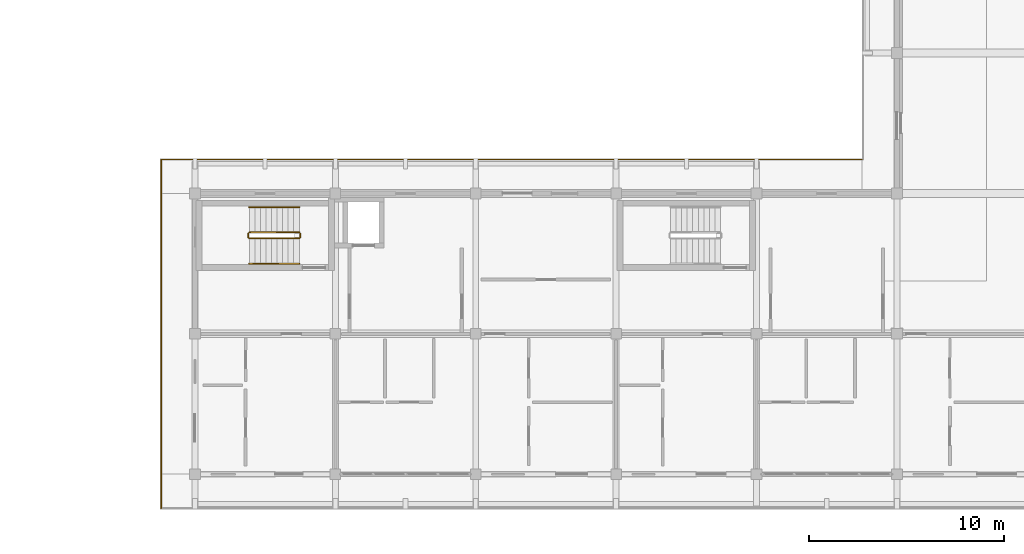
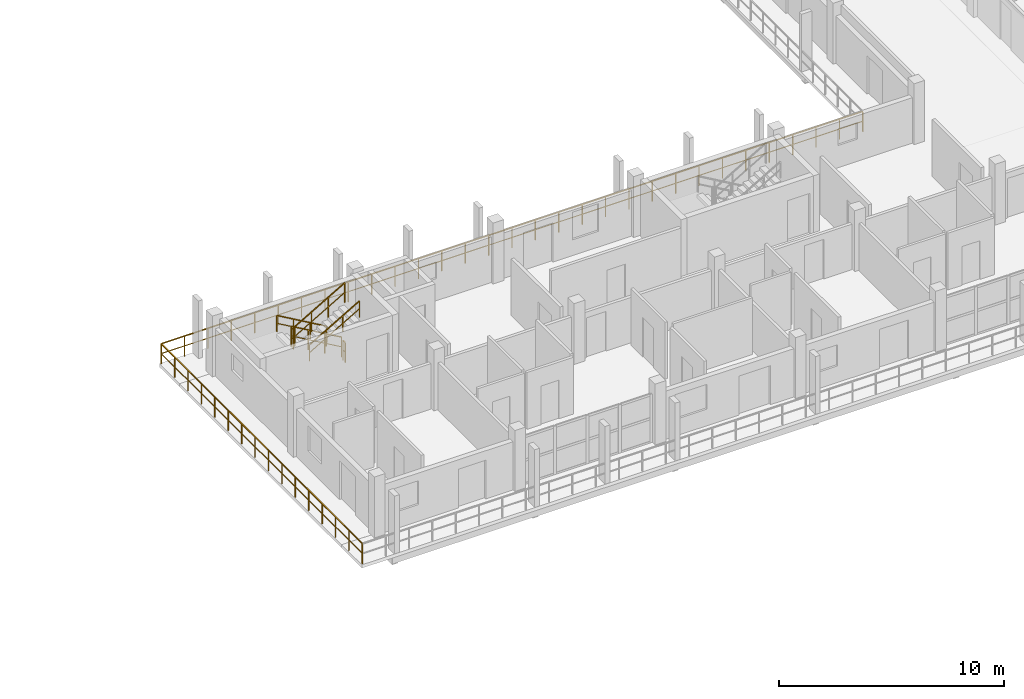
# One storey, part 54 of 60: 8 railings.
"""IFC4 building model written with IfcOpenShell, lengths in metres."""

import ifcopenshell
import ifcopenshell.guid

model = None  # the IFC model being written
_history = None  # IfcOwnerHistory: only IFC2X3 demands one
_inside = {}  # id of a spatial element -> (the spatial element, [elements in it])
_under = {}  # id of a project, library or spatial element -> (it, [spatial elements below it])
_declared = {}  # id of a project -> (the project, [libraries it declares])
_typed = {}  # id of a type object -> (the type object, [elements of that type])
_made_of = {}  # id of a material, layer set ... -> (it, [elements and type objects made of it])


def new_model(schema):
    """Start an empty IFC model of exactly this schema.

    Asked for "IFC4X3", IfcOpenShell would pick the latest addendum, in which some entities
    have other attributes; the version numbers below select the first issue.
    IFC2X3 requires an IfcOwnerHistory on every rooted entity: one is made here for all.
    """
    global model, _history
    if schema == "IFC4X3":
        model = ifcopenshell.file(schema_version=(4, 3, 0, 0))
    else:
        model = ifcopenshell.file(schema=schema)
    _inside.clear()
    _under.clear()
    _declared.clear()
    _typed.clear()
    _made_of.clear()
    _history = None
    if model.schema == "IFC2X3":
        org = make("IfcOrganization", Name="unknown")
        user = make(
            "IfcPersonAndOrganization",
            ThePerson=make("IfcPerson", FamilyName="unknown"),
            TheOrganization=org,
        )
        app = make(
            "IfcApplication",
            ApplicationDeveloper=org,
            Version="unknown",
            ApplicationFullName="unknown",
            ApplicationIdentifier="unknown",
        )
        _history = make(
            "IfcOwnerHistory",
            OwningUser=user,
            OwningApplication=app,
            ChangeAction="ADDED",
            CreationDate=0,
        )
    return model


def make(cls, **values):
    """One entity of the class cls with the attributes given. An attribute that is None is left unset."""
    return model.create_entity(
        cls, **{name: value for name, value in values.items() if value is not None}
    )


def rooted(cls, **values):
    """An entity with a GlobalId (a new one), such as an element, a storey or a relation."""
    return make(cls, GlobalId=ifcopenshell.guid.new(), OwnerHistory=_history, **values)


def si_unit(unit_type, name, prefix=None):
    """IfcSIUnit, for example si_unit("LENGTHUNIT", "METRE", prefix="MILLI")."""
    return make("IfcSIUnit", UnitType=unit_type, Prefix=prefix, Name=name)


def assignment(units):
    """IfcUnitAssignment: the units of a project."""
    return None if units is None else make("IfcUnitAssignment", Units=units)


def point(xyz):
    """IfcCartesianPoint."""
    return None if xyz is None else make("IfcCartesianPoint", Coordinates=xyz)


def direction(xyz):
    """IfcDirection."""
    return None if xyz is None else make("IfcDirection", DirectionRatios=xyz)


def frame(location, z_axis=None, x_axis=None):
    """IfcAxis2Placement3D, a coordinate frame: its origin and axes. An axis left out is left unset."""
    return make(
        "IfcAxis2Placement3D",
        Location=point(location),
        Axis=direction(z_axis),
        RefDirection=direction(x_axis),
    )


def frame_2d(location, x_axis=None):
    """IfcAxis2Placement2D, a coordinate frame in the plane: its origin and x axis."""
    return make(
        "IfcAxis2Placement2D", Location=point(location), RefDirection=direction(x_axis)
    )


def origin():
    """The frame at (0, 0, 0) with its axes left unset."""
    return frame((0.0, 0.0, 0.0))


def origin_2d():
    """The frame at (0, 0) in the plane with its x axis left unset."""
    return frame_2d((0.0, 0.0))


def place(relative_to, where):
    """IfcLocalPlacement: puts the frame where relative to a parent placement (None: the world)."""
    return make(
        "IfcLocalPlacement", PlacementRelTo=relative_to, RelativePlacement=where
    )


def context(
    kind, dimensions, precision=None, world=None, true_north=None, identifier=None
):
    """IfcGeometricRepresentationContext, for example the 3D "Model" context."""
    return make(
        "IfcGeometricRepresentationContext",
        ContextIdentifier=identifier,
        ContextType=kind,
        CoordinateSpaceDimension=dimensions,
        Precision=precision,
        WorldCoordinateSystem=world,
        TrueNorth=true_north,
    )


def subcontext(parent, identifier, kind, view, scale=None):
    """IfcGeometricRepresentationSubContext, for example "Body" below "Model"."""
    return make(
        "IfcGeometricRepresentationSubContext",
        ContextIdentifier=identifier,
        ContextType=kind,
        ParentContext=parent,
        TargetScale=scale,
        TargetView=view,
    )


def project(units=None, contexts=None):
    """IfcProject with its units and contexts."""
    return rooted(
        "IfcProject",
        Name="project",
        RepresentationContexts=contexts,
        UnitsInContext=assignment(units),
    )


def spatial(cls, under=None, at=None, **own):
    """A site, building, storey or space (cls), placed at a placement, below another one or the project."""
    s = rooted(cls, ObjectPlacement=at, **own)
    if under is not None:
        _under.setdefault(under.id(), (under, []))[1].append(s)
    return s


def profile(cls, at=None, kind="AREA", **sizes):
    """A parametric profile (cls). Its sizes go by their IFC names, for example OverallWidth=200.0."""
    return make(cls, ProfileType=kind, Position=at, **sizes)


def rectangle(**sizes):
    """IfcRectangleProfileDef."""
    return profile("IfcRectangleProfileDef", **sizes)


def extrude(swept, where, along, depth):
    """IfcExtrudedAreaSolid: the profile swept, set in the frame where, extruded along a direction by depth."""
    return make(
        "IfcExtrudedAreaSolid",
        SweptArea=swept,
        Position=where,
        ExtrudedDirection=direction(along),
        Depth=depth,
    )


def shape(context_of_items, identifier, shape_type, items):
    """IfcShapeRepresentation: the items that make up one representation, for example the "Body"."""
    return make(
        "IfcShapeRepresentation",
        ContextOfItems=context_of_items,
        RepresentationIdentifier=identifier,
        RepresentationType=shape_type,
        Items=items,
    )


def material(Name=None, Category=None):
    """IfcMaterial."""
    return make("IfcMaterial", Name=Name, Category=Category)


def made_of(thing, what):
    """Note that an element or type object is made of a material, layer set ...; save() writes the relation."""
    if what is not None:
        _made_of.setdefault(what.id(), (what, []))[1].append(thing)
    return thing


def type_object(cls, material=None, **own):
    """A type object (cls), such as IfcWallType, which elements share."""
    return made_of(rooted(cls, **own), material)


def element(
    cls,
    number,
    at=None,
    inside=None,
    cuts=None,
    type_object=None,
    material=None,
    context=None,
    identifier="Body",
    shape_type=None,
    held_by="IfcProductDefinitionShape",
    body=None,
    shapes=None,
    **own,
):
    """One element of the class cls, such as IfcWall. Its Tag is "e" and its number.

    at: its placement. inside: the storey or other place that contains it. cuts: it is an
    opening in that element (IfcRelVoidsElement). A single representation is given by context,
    identifier, shape_type and body (its items); several are given by shapes. held_by: the class
    of the entity that holds the representations. save() writes the other relations.
    """
    e = rooted(cls, Tag="e%d" % number, ObjectPlacement=at, **own)
    if body is not None:
        shapes = [shape(context, identifier, shape_type, body)]
    if shapes is not None:
        e.Representation = make(held_by, Representations=shapes)
    if inside is not None:
        _inside.setdefault(inside.id(), (inside, []))[1].append(e)
    if cuts is not None:
        rooted(
            "IfcRelVoidsElement", RelatingBuildingElement=cuts, RelatedOpeningElement=e
        )
    if type_object is not None:
        _typed.setdefault(type_object.id(), (type_object, []))[1].append(e)
    return made_of(e, material)


def aggregate(whole, parts):
    """IfcRelAggregates: a whole, such as a stair, and the parts it consists of."""
    return rooted("IfcRelAggregates", RelatingObject=whole, RelatedObjects=parts)


def save(model, path):
    """Write the relations noted so far, then the file.

    IfcRelAggregates (storeys below a building ...), IfcRelContainedInSpatialStructure (elements
    in a storey), IfcRelDefinesByType, IfcRelAssociatesMaterial and IfcRelDeclares: one each for
    every whole, place, type object, material and project.
    """
    for whole, parts in _under.values():
        aggregate(whole, parts)
    for where, things in _inside.values():
        rooted(
            "IfcRelContainedInSpatialStructure",
            RelatedElements=things,
            RelatingStructure=where,
        )
    for kind, things in _typed.values():
        rooted("IfcRelDefinesByType", RelatedObjects=things, RelatingType=kind)
    for what, things in _made_of.values():
        rooted("IfcRelAssociatesMaterial", RelatedObjects=things, RelatingMaterial=what)
    for by, libraries in _declared.values():
        rooted("IfcRelDeclares", RelatingContext=by, RelatedDefinitions=libraries)
    model.write(path)


model = new_model("IFC4")

# Units and contexts
model_context = context("Model", 3, precision=1e-05, world=origin(), true_north=direction((0.0, 1.0)))
body_context = subcontext(model_context, "Body", "Model", "MODEL_VIEW")
ifc_project = project(units=[si_unit("LENGTHUNIT", "METRE"), si_unit("AREAUNIT", "SQUARE_METRE"), si_unit("VOLUMEUNIT", "CUBIC_METRE"), si_unit("PLANEANGLEUNIT", "RADIAN"), si_unit("MASSUNIT", "GRAM", prefix="KILO")], contexts=[model_context])

# Site, building, storey
site_placement = place(None, origin())
site = spatial("IfcSite", under=ifc_project, at=site_placement, CompositionType="ELEMENT")
building_placement = place(site_placement, origin())
building = spatial("IfcBuilding", under=site, at=building_placement, Name="Suanplinth Sawtooth Commons", CompositionType="ELEMENT")
storey_placement = place(building_placement, frame((0.0, 0.0, 31.5)))
storey = spatial("IfcBuildingStorey", under=building, at=storey_placement, Name="L09", CompositionType="ELEMENT", Elevation=31.5)

# Railings
ifc_material_1 = material(Name="Powder-coated galvanized steel", Category="steel")
railing_type_1 = type_object("IfcRailingType", Name="GR-01", PredefinedType="BALUSTRADE", material=ifc_material_1)
railing_1_placement = place(storey_placement, frame((135.06005859375, -1.739990234375, 0.0)))
element("IfcRailing", 1, at=railing_1_placement, inside=storey, type_object=railing_type_1, Name="L09 Block C Perimeter Balustrade 1", PredefinedType="BALUSTRADE", context=body_context, shape_type="SweptSolid", body=[
    extrude(rectangle(XDim=0.048095703125, YDim=0.048095703125, at=origin_2d()), frame((0.0, 0.0, 1.09619140625), z_axis=(0.0, 1.0, 0.0), x_axis=(-1.0, 0.0, 0.0)), (0.0, 0.0, 1.0), 17.8798828125),
    extrude(rectangle(XDim=0.03369140625, YDim=0.03369140625, at=origin_2d()), frame((0.0, 0.0, 0.56005859375), z_axis=(0.0, 1.0, 0.0), x_axis=(-1.0, 0.0, 0.0)), (0.0, 0.0, 1.0), 17.8798828125),
    extrude(rectangle(XDim=0.0419921875, YDim=0.0419921875, at=origin_2d()), origin(), (0.0, 0.0, 1.0), 1.072021484375),
    extrude(rectangle(XDim=0.0419921875, YDim=0.0419921875, at=origin_2d()), frame((0.0, 1.19189453125, 0.0)), (0.0, 0.0, 1.0), 1.072021484375),
    extrude(rectangle(XDim=0.0419921875, YDim=0.0419921875, at=origin_2d()), frame((0.0, 2.384033203125, 0.0)), (0.0, 0.0, 1.0), 1.072021484375),
    extrude(rectangle(XDim=0.0419921875, YDim=0.0419921875, at=origin_2d()), frame((0.0, 3.575927734375, 0.0)), (0.0, 0.0, 1.0), 1.072021484375),
    extrude(rectangle(XDim=0.0419921875, YDim=0.0419921875, at=origin_2d()), frame((0.0, 4.76806640625, 0.0)), (0.0, 0.0, 1.0), 1.072021484375),
    extrude(rectangle(XDim=0.0419921875, YDim=0.0419921875, at=origin_2d()), frame((0.0, 5.9599609375, 0.0)), (0.0, 0.0, 1.0), 1.072021484375),
    extrude(rectangle(XDim=0.0419921875, YDim=0.0419921875, at=origin_2d()), frame((0.0, 7.15185546875, 0.0)), (0.0, 0.0, 1.0), 1.072021484375),
    extrude(rectangle(XDim=0.0419921875, YDim=0.0419921875, at=origin_2d()), frame((0.0, 8.343994140625, 0.0)), (0.0, 0.0, 1.0), 1.072021484375),
    extrude(rectangle(XDim=0.0419921875, YDim=0.0419921875, at=origin_2d()), frame((0.0, 9.535888671875, 0.0)), (0.0, 0.0, 1.0), 1.072021484375),
    extrude(rectangle(XDim=0.0419921875, YDim=0.0419921875, at=origin_2d()), frame((0.0, 10.72802734375, 0.0)), (0.0, 0.0, 1.0), 1.072021484375),
    extrude(rectangle(XDim=0.0419921875, YDim=0.0419921875, at=origin_2d()), frame((0.0, 11.919921875, 0.0)), (0.0, 0.0, 1.0), 1.072021484375),
    extrude(rectangle(XDim=0.0419921875, YDim=0.0419921875, at=origin_2d()), frame((0.0, 13.11181640625, 0.0)), (0.0, 0.0, 1.0), 1.072021484375),
    extrude(rectangle(XDim=0.0419921875, YDim=0.0419921875, at=origin_2d()), frame((0.0, 14.303955078125, 0.0)), (0.0, 0.0, 1.0), 1.072021484375),
    extrude(rectangle(XDim=0.0419921875, YDim=0.0419921875, at=origin_2d()), frame((0.0, 15.495849609375, 0.0)), (0.0, 0.0, 1.0), 1.072021484375),
    extrude(rectangle(XDim=0.0419921875, YDim=0.0419921875, at=origin_2d()), frame((0.0, 16.68798828125, 0.0)), (0.0, 0.0, 1.0), 1.072021484375),
    extrude(rectangle(XDim=0.0419921875, YDim=0.0419921875, at=origin_2d()), frame((0.0, 17.8798828125, 0.0)), (0.0, 0.0, 1.0), 1.072021484375),
])
railing_2_placement = place(storey_placement, frame((135.06005859375, 16.139892578125, 0.0)))
element("IfcRailing", 2, at=railing_2_placement, inside=storey, type_object=railing_type_1, Name="L09 Block C Perimeter Balustrade 2", PredefinedType="BALUSTRADE", context=body_context, shape_type="SweptSolid", body=[
    extrude(rectangle(XDim=0.048095703125, YDim=0.048095703125, at=origin_2d()), frame((0.0, 0.0, 1.09619140625), z_axis=(1.0, 0.0, 0.0), x_axis=(0.0, 1.0, 0.0)), (0.0, 0.0, 1.0), 36.0),
    extrude(rectangle(XDim=0.03369140625, YDim=0.03369140625, at=origin_2d()), frame((0.0, 0.0, 0.56005859375), z_axis=(1.0, 0.0, 0.0), x_axis=(0.0, 1.0, 0.0)), (0.0, 0.0, 1.0), 36.0),
    extrude(rectangle(XDim=0.0419921875, YDim=0.0419921875, at=origin_2d()), origin(), (0.0, 0.0, 1.0), 1.072021484375),
    extrude(rectangle(XDim=0.0419921875, YDim=0.0419921875, at=origin_2d()), frame((1.199951171875, 0.0, 0.0)), (0.0, 0.0, 1.0), 1.072021484375),
    extrude(rectangle(XDim=0.0419921875, YDim=0.0419921875, at=origin_2d()), frame((2.39990234375, 0.0, 0.0)), (0.0, 0.0, 1.0), 1.072021484375),
    extrude(rectangle(XDim=0.0419921875, YDim=0.0419921875, at=origin_2d()), frame((3.60009765625, 0.0, 0.0)), (0.0, 0.0, 1.0), 1.072021484375),
    extrude(rectangle(XDim=0.0419921875, YDim=0.0419921875, at=origin_2d()), frame((4.800048828125, 0.0, 0.0)), (0.0, 0.0, 1.0), 1.072021484375),
    extrude(rectangle(XDim=0.0419921875, YDim=0.0419921875, at=origin_2d()), frame((6.0, 0.0, 0.0)), (0.0, 0.0, 1.0), 1.072021484375),
    extrude(rectangle(XDim=0.0419921875, YDim=0.0419921875, at=origin_2d()), frame((7.199951171875, 0.0, 0.0)), (0.0, 0.0, 1.0), 1.072021484375),
    extrude(rectangle(XDim=0.0419921875, YDim=0.0419921875, at=origin_2d()), frame((8.39990234375, 0.0, 0.0)), (0.0, 0.0, 1.0), 1.072021484375),
    extrude(rectangle(XDim=0.0419921875, YDim=0.0419921875, at=origin_2d()), frame((9.60009765625, 0.0, 0.0)), (0.0, 0.0, 1.0), 1.072021484375),
    extrude(rectangle(XDim=0.0419921875, YDim=0.0419921875, at=origin_2d()), frame((10.800048828125, 0.0, 0.0)), (0.0, 0.0, 1.0), 1.072021484375),
    extrude(rectangle(XDim=0.0419921875, YDim=0.0419921875, at=origin_2d()), frame((12.0, 0.0, 0.0)), (0.0, 0.0, 1.0), 1.072021484375),
    extrude(rectangle(XDim=0.0419921875, YDim=0.0419921875, at=origin_2d()), frame((13.199951171875, 0.0, 0.0)), (0.0, 0.0, 1.0), 1.072021484375),
    extrude(rectangle(XDim=0.0419921875, YDim=0.0419921875, at=origin_2d()), frame((14.39990234375, 0.0, 0.0)), (0.0, 0.0, 1.0), 1.072021484375),
    extrude(rectangle(XDim=0.0419921875, YDim=0.0419921875, at=origin_2d()), frame((15.60009765625, 0.0, 0.0)), (0.0, 0.0, 1.0), 1.072021484375),
    extrude(rectangle(XDim=0.0419921875, YDim=0.0419921875, at=origin_2d()), frame((16.800048828125, 0.0, 0.0)), (0.0, 0.0, 1.0), 1.072021484375),
    extrude(rectangle(XDim=0.0419921875, YDim=0.0419921875, at=origin_2d()), frame((18.0, 0.0, 0.0)), (0.0, 0.0, 1.0), 1.072021484375),
    extrude(rectangle(XDim=0.0419921875, YDim=0.0419921875, at=origin_2d()), frame((19.199951171875, 0.0, 0.0)), (0.0, 0.0, 1.0), 1.072021484375),
    extrude(rectangle(XDim=0.0419921875, YDim=0.0419921875, at=origin_2d()), frame((20.39990234375, 0.0, 0.0)), (0.0, 0.0, 1.0), 1.072021484375),
    extrude(rectangle(XDim=0.0419921875, YDim=0.0419921875, at=origin_2d()), frame((21.60009765625, 0.0, 0.0)), (0.0, 0.0, 1.0), 1.072021484375),
    extrude(rectangle(XDim=0.0419921875, YDim=0.0419921875, at=origin_2d()), frame((22.800048828125, 0.0, 0.0)), (0.0, 0.0, 1.0), 1.072021484375),
    extrude(rectangle(XDim=0.0419921875, YDim=0.0419921875, at=origin_2d()), frame((24.0, 0.0, 0.0)), (0.0, 0.0, 1.0), 1.072021484375),
    extrude(rectangle(XDim=0.0419921875, YDim=0.0419921875, at=origin_2d()), frame((25.199951171875, 0.0, 0.0)), (0.0, 0.0, 1.0), 1.072021484375),
    extrude(rectangle(XDim=0.0419921875, YDim=0.0419921875, at=origin_2d()), frame((26.39990234375, 0.0, 0.0)), (0.0, 0.0, 1.0), 1.072021484375),
    extrude(rectangle(XDim=0.0419921875, YDim=0.0419921875, at=origin_2d()), frame((27.60009765625, 0.0, 0.0)), (0.0, 0.0, 1.0), 1.072021484375),
    extrude(rectangle(XDim=0.0419921875, YDim=0.0419921875, at=origin_2d()), frame((28.800048828125, 0.0, 0.0)), (0.0, 0.0, 1.0), 1.072021484375),
    extrude(rectangle(XDim=0.0419921875, YDim=0.0419921875, at=origin_2d()), frame((30.0, 0.0, 0.0)), (0.0, 0.0, 1.0), 1.072021484375),
    extrude(rectangle(XDim=0.0419921875, YDim=0.0419921875, at=origin_2d()), frame((31.199951171875, 0.0, 0.0)), (0.0, 0.0, 1.0), 1.072021484375),
    extrude(rectangle(XDim=0.0419921875, YDim=0.0419921875, at=origin_2d()), frame((32.39990234375, 0.0, 0.0)), (0.0, 0.0, 1.0), 1.072021484375),
    extrude(rectangle(XDim=0.0419921875, YDim=0.0419921875, at=origin_2d()), frame((33.60009765625, 0.0, 0.0)), (0.0, 0.0, 1.0), 1.072021484375),
    extrude(rectangle(XDim=0.0419921875, YDim=0.0419921875, at=origin_2d()), frame((34.800048828125, 0.0, 0.0)), (0.0, 0.0, 1.0), 1.072021484375),
    extrude(rectangle(XDim=0.0419921875, YDim=0.0419921875, at=origin_2d()), frame((36.0, 0.0, 0.0)), (0.0, 0.0, 1.0), 1.072021484375),
])
ifc_material_2 = material(Name="Stainless steel Grade 304", Category="steel")
railing_type_2 = type_object("IfcRailingType", Name="GR-04", PredefinedType="GUARDRAIL", material=ifc_material_2)
railing_3_placement = place(storey_placement, frame((142.14990234375, 12.39990234375, 0.1650390625)))
element("IfcRailing", 3, at=railing_3_placement, inside=storey, type_object=railing_type_2, Name="L09 ST-S1 Guard 1", PredefinedType="GUARDRAIL", context=body_context, shape_type="SweptSolid", body=[
    extrude(rectangle(XDim=0.048095703125, YDim=0.048095703125, at=origin_2d()), frame((0.0, 0.0, 1.076171875), z_axis=(-0.865441324677, 0.0, 0.50101029285), x_axis=(0.0, -1.0, 0.0)), (0.0, 0.0, 1.0), 2.963623046875),
    extrude(rectangle(XDim=0.03369140625, YDim=0.03369140625, at=origin_2d()), frame((0.0, 0.0, 0.550048828125), z_axis=(-0.865441324677, 0.0, 0.50101029285), x_axis=(0.0, -1.0, 0.0)), (0.0, 0.0, 1.0), 2.963623046875),
    extrude(rectangle(XDim=0.0419921875, YDim=0.0419921875, at=origin_2d()), origin(), (0.0, 0.0, 1.0), 1.052001953125),
    extrude(rectangle(XDim=0.0419921875, YDim=0.0419921875, at=origin_2d()), frame((-0.85498046875, 0.0, 0.494873046875)), (0.0, 0.0, 1.0), 1.052001953125),
    extrude(rectangle(XDim=0.0419921875, YDim=0.0419921875, at=origin_2d()), frame((-1.7099609375, 0.0, 0.989990234375)), (0.0, 0.0, 1.0), 1.052001953125),
    extrude(rectangle(XDim=0.0419921875, YDim=0.0419921875, at=origin_2d()), frame((-2.56494140625, 0.0, 1.48486328125)), (0.0, 0.0, 1.0), 1.052001953125),
])
railing_4_placement = place(storey_placement, frame((139.534912109375, 12.35009765625, 1.64990234375)))
element("IfcRailing", 4, at=railing_4_placement, inside=storey, type_object=railing_type_2, Name="L09 ST-S1 Guard 2", PredefinedType="GUARDRAIL", context=body_context, shape_type="SweptSolid", body=[
    extrude(rectangle(XDim=0.048095703125, YDim=0.048095703125, at=origin_2d()), frame((0.0, 0.0, 1.076171875), z_axis=(0.0, -1.0, 0.0), x_axis=(1.0, 0.0, 0.0)), (0.0, 0.0, 1.0), 0.2001953125),
    extrude(rectangle(XDim=0.03369140625, YDim=0.03369140625, at=origin_2d()), frame((0.0, 0.0, 0.550048828125), z_axis=(0.0, -1.0, 0.0), x_axis=(1.0, 0.0, 0.0)), (0.0, 0.0, 1.0), 0.2001953125),
    extrude(rectangle(XDim=0.0419921875, YDim=0.0419921875, at=origin_2d()), origin(), (0.0, 0.0, 1.0), 1.052001953125),
    extrude(rectangle(XDim=0.0419921875, YDim=0.0419921875, at=origin_2d()), frame((0.0, -0.2001953125, 0.0)), (0.0, 0.0, 1.0), 1.052001953125),
])
railing_5_placement = place(storey_placement, frame((139.5849609375, 12.10009765625, 1.81494140625)))
element("IfcRailing", 5, at=railing_5_placement, inside=storey, type_object=railing_type_2, Name="L09 ST-S1 Guard 3", PredefinedType="GUARDRAIL", context=body_context, shape_type="SweptSolid", body=[
    extrude(rectangle(XDim=0.048095703125, YDim=0.048095703125, at=origin_2d()), frame((0.0, 0.0, 1.076171875), z_axis=(0.865405606168, 0.0, 0.501071987656), x_axis=(0.0, 1.0, 0.0)), (0.0, 0.0, 1.0), 2.9638671875),
    extrude(rectangle(XDim=0.03369140625, YDim=0.03369140625, at=origin_2d()), frame((0.0, 0.0, 0.550048828125), z_axis=(0.865405606168, 0.0, 0.501071987656), x_axis=(0.0, 1.0, 0.0)), (0.0, 0.0, 1.0), 2.9638671875),
    extrude(rectangle(XDim=0.0419921875, YDim=0.0419921875, at=origin_2d()), origin(), (0.0, 0.0, 1.0), 1.052001953125),
    extrude(rectangle(XDim=0.0419921875, YDim=0.0419921875, at=origin_2d()), frame((0.85498046875, 0.0, 0.4951171875)), (0.0, 0.0, 1.0), 1.052001953125),
    extrude(rectangle(XDim=0.0419921875, YDim=0.0419921875, at=origin_2d()), frame((1.7099609375, 0.0, 0.989990234375)), (0.0, 0.0, 1.0), 1.052001953125),
    extrude(rectangle(XDim=0.0419921875, YDim=0.0419921875, at=origin_2d()), frame((2.56494140625, 0.0, 1.485107421875)), (0.0, 0.0, 1.0), 1.052001953125),
])
railing_6_placement = place(storey_placement, frame((142.199951171875, 12.35009765625, 0.0)))
element("IfcRailing", 6, at=railing_6_placement, inside=storey, type_object=railing_type_2, Name="L09 ST-S1 Guard 4", PredefinedType="GUARDRAIL", context=body_context, shape_type="SweptSolid", body=[
    extrude(rectangle(XDim=0.048095703125, YDim=0.048095703125, at=origin_2d()), frame((0.0, 0.0, 1.076171875), z_axis=(0.0, -1.0, 0.0), x_axis=(1.0, 0.0, 0.0)), (0.0, 0.0, 1.0), 0.2001953125),
    extrude(rectangle(XDim=0.03369140625, YDim=0.03369140625, at=origin_2d()), frame((0.0, 0.0, 0.550048828125), z_axis=(0.0, -1.0, 0.0), x_axis=(1.0, 0.0, 0.0)), (0.0, 0.0, 1.0), 0.2001953125),
    extrude(rectangle(XDim=0.0419921875, YDim=0.0419921875, at=origin_2d()), origin(), (0.0, 0.0, 1.0), 1.052001953125),
    extrude(rectangle(XDim=0.0419921875, YDim=0.0419921875, at=origin_2d()), frame((0.0, -0.2001953125, 0.0)), (0.0, 0.0, 1.0), 1.052001953125),
])
railing_type_3 = type_object("IfcRailingType", Name="HR-01", PredefinedType="HANDRAIL", material=ifc_material_2)
railing_7_placement = place(storey_placement, frame((142.14990234375, 13.699951171875, 0.1650390625)))
element("IfcRailing", 7, at=railing_7_placement, inside=storey, type_object=railing_type_3, Name="L09 ST-S1 Handrail 1", PredefinedType="HANDRAIL", context=body_context, shape_type="SweptSolid", body=[
    extrude(rectangle(XDim=0.048095703125, YDim=0.048095703125, at=origin_2d()), frame((0.0, 0.0, 0.8759765625), z_axis=(-0.865441324677, 0.0, 0.50101029285), x_axis=(0.0, -1.0, 0.0)), (0.0, 0.0, 1.0), 2.963623046875),
    extrude(rectangle(XDim=0.03369140625, YDim=0.03369140625, at=origin_2d()), frame((0.0, 0.0, 0.449951171875), z_axis=(-0.865441324677, 0.0, 0.50101029285), x_axis=(0.0, -1.0, 0.0)), (0.0, 0.0, 1.0), 2.963623046875),
    extrude(rectangle(XDim=0.0419921875, YDim=0.0419921875, at=origin_2d()), origin(), (0.0, 0.0, 1.0), 0.851806640625),
    extrude(rectangle(XDim=0.0419921875, YDim=0.0419921875, at=origin_2d()), frame((-0.85498046875, 0.0, 0.494873046875)), (0.0, 0.0, 1.0), 0.851806640625),
    extrude(rectangle(XDim=0.0419921875, YDim=0.0419921875, at=origin_2d()), frame((-1.7099609375, 0.0, 0.989990234375)), (0.0, 0.0, 1.0), 0.851806640625),
    extrude(rectangle(XDim=0.0419921875, YDim=0.0419921875, at=origin_2d()), frame((-2.56494140625, 0.0, 1.48486328125)), (0.0, 0.0, 1.0), 0.851806640625),
])
railing_8_placement = place(storey_placement, frame((139.5849609375, 10.800048828125, 1.81494140625)))
element("IfcRailing", 8, at=railing_8_placement, inside=storey, type_object=railing_type_3, Name="L09 ST-S1 Handrail 2", PredefinedType="HANDRAIL", context=body_context, shape_type="SweptSolid", body=[
    extrude(rectangle(XDim=0.048095703125, YDim=0.048095703125, at=origin_2d()), frame((0.0, 0.0, 0.8759765625), z_axis=(0.865405606168, 0.0, 0.501071987656), x_axis=(0.0, 1.0, 0.0)), (0.0, 0.0, 1.0), 2.9638671875),
    extrude(rectangle(XDim=0.03369140625, YDim=0.03369140625, at=origin_2d()), frame((0.0, 0.0, 0.449951171875), z_axis=(0.865405606168, 0.0, 0.501071987656), x_axis=(0.0, 1.0, 0.0)), (0.0, 0.0, 1.0), 2.9638671875),
    extrude(rectangle(XDim=0.0419921875, YDim=0.0419921875, at=origin_2d()), origin(), (0.0, 0.0, 1.0), 0.851806640625),
    extrude(rectangle(XDim=0.0419921875, YDim=0.0419921875, at=origin_2d()), frame((0.85498046875, 0.0, 0.4951171875)), (0.0, 0.0, 1.0), 0.851806640625),
    extrude(rectangle(XDim=0.0419921875, YDim=0.0419921875, at=origin_2d()), frame((1.7099609375, 0.0, 0.989990234375)), (0.0, 0.0, 1.0), 0.851806640625),
    extrude(rectangle(XDim=0.0419921875, YDim=0.0419921875, at=origin_2d()), frame((2.56494140625, 0.0, 1.485107421875)), (0.0, 0.0, 1.0), 0.851806640625),
])

save(model, "model.ifc")
